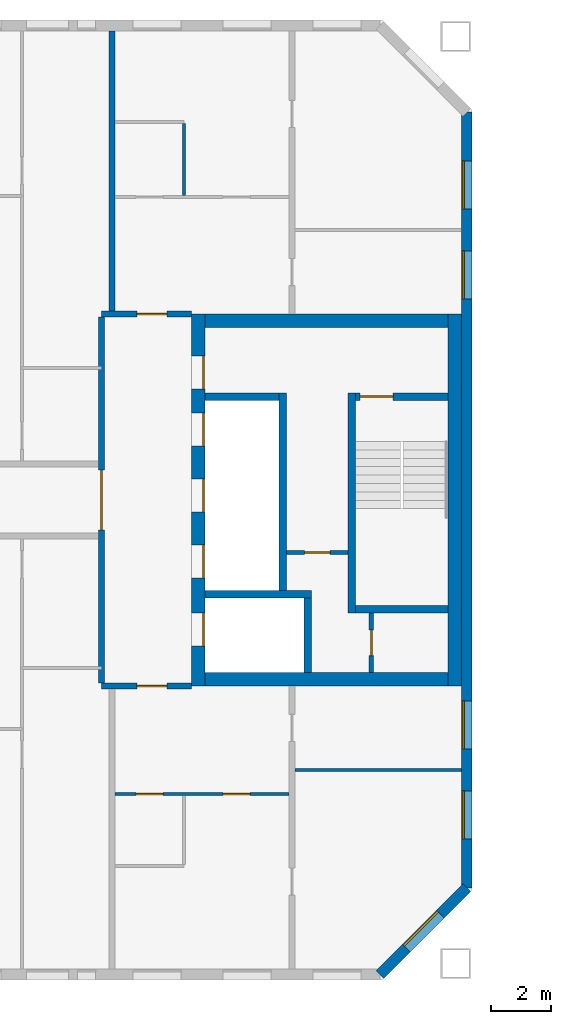
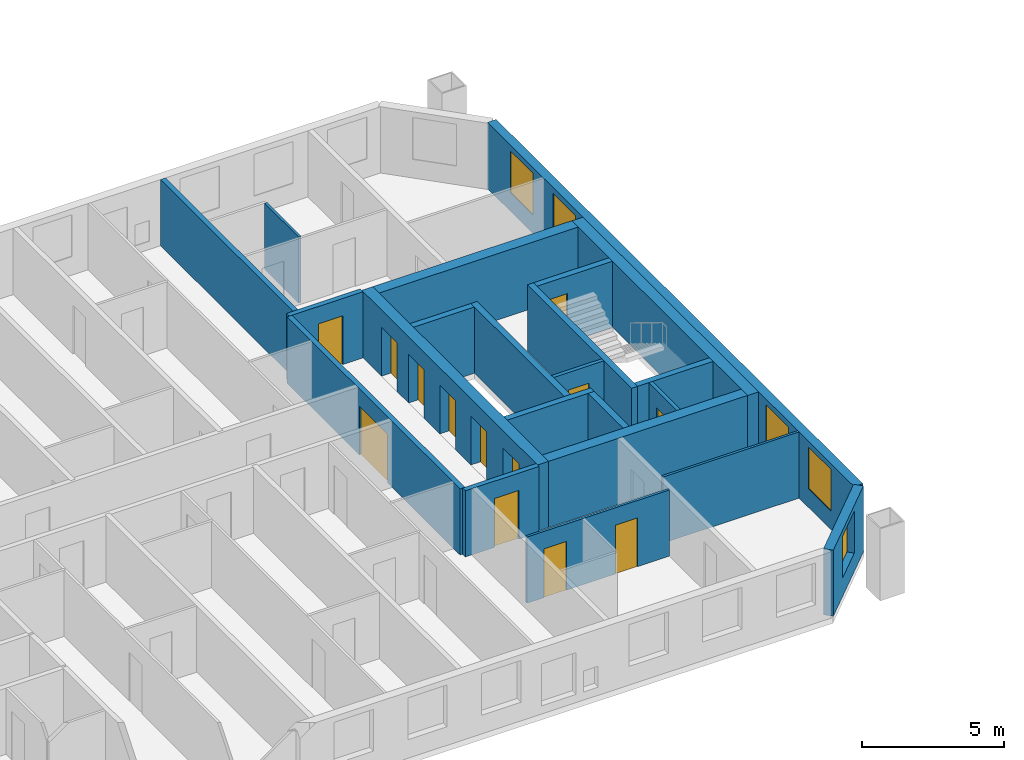
# One storey, part 7 of 16: 22 walls, 13 doors, 5 windows, 18 openings.
"""IFC4 building model written with IfcOpenShell, lengths in metres."""

from ifc_helpers import new_model, si_unit, direction, frame, frame_2d, origin, place, context, subcontext, project, spatial, rectangle, extrude, material, layer, layer_set, type_object, element, fill, save


model = new_model("IFC4")

# Units and contexts
model_context = context("Model", 3, precision=1e-05, world=origin(), true_north=direction((0.0, 1.0)))
body_context = subcontext(model_context, "Body", "Model", "MODEL_VIEW")
ifc_project = project(units=[si_unit("LENGTHUNIT", "METRE"), si_unit("AREAUNIT", "SQUARE_METRE"), si_unit("VOLUMEUNIT", "CUBIC_METRE"), si_unit("PLANEANGLEUNIT", "RADIAN"), si_unit("MASSUNIT", "GRAM", prefix="KILO")], contexts=[model_context])

# Site, building, storey
site_placement = place(None, origin())
site = spatial("IfcSite", under=ifc_project, at=site_placement, CompositionType="ELEMENT")
building_placement = place(site_placement, origin())
building = spatial("IfcBuilding", under=site, at=building_placement, Name="Tuart Gate Housing", CompositionType="ELEMENT")
storey_placement = place(building_placement, frame((0.0, 0.0, 182.0)))
storey = spatial("IfcBuildingStorey", under=building, at=storey_placement, Name="L51", CompositionType="ELEMENT", Elevation=182.0)

# Wall, opening, window
ifc_material_1 = material(Name="Brick", Category="masonry")
ifc_layer_1 = layer(ifc_material_1, 0.360107421875)
ifc_layer_set_1 = layer_set([ifc_layer_1], Name="Brick pier and spandrel wall 360")
wall_type_1 = type_object("IfcWallType", Name="Brick pier and spandrel wall 360", PredefinedType="STANDARD", material=ifc_layer_set_1)
wall_1_placement = place(storey_placement, frame((72.92529296875, 54.179931640625, 0.0), z_axis=(0.0, 0.0, 1.0), x_axis=(0.707106781187, 0.707106781187, 0.0)))
wall_1 = element("IfcWall", 1, at=wall_1_placement, inside=storey, type_object=wall_type_1, Name="External wall A-SE L51", PredefinedType="STANDARD", context=body_context, shape_type="SweptSolid", body=[
    extrude(rectangle(XDim=4.09375, YDim=0.360107421875, at=frame_2d((2.046875, 0.0))), origin(), (0.0, 0.0, 1.0), 2.85009765625),
])
opening_1_placement = place(wall_1_placement, frame((1.2470703125, 0.0, 0.800048828125)))
opening_1 = element("IfcOpeningElement", 2, at=opening_1_placement, cuts=wall_1, Name="Opening W1", PredefinedType="OPENING", context=body_context, shape_type="SweptSolid", body=[
    extrude(rectangle(XDim=1.60009765625, YDim=1.800048828125, at=frame_2d((0.800048828125, 0.89990234375))), frame((0.0, 0.18994140625, 0.0), z_axis=(0.0, -1.0, 0.0), x_axis=(1.0, 0.0, 0.0)), (0.0, 0.0, 1.0), 0.380126953125),
])
ifc_material_2 = material(Name="Aluminium frame with clear glass", Category="aluminium")
window_type = type_object("IfcWindowType", Name="Punched window 1600 x 1800", PartitioningType="SINGLE_PANEL", PredefinedType="WINDOW", material=ifc_material_2)
window_1_placement = place(opening_1_placement, origin())
window_1 = element("IfcWindow", 3, at=window_1_placement, inside=storey, type_object=window_type, Name="Window W1", OverallHeight=1.800048828125, OverallWidth=1.60009765625, PartitioningType="SINGLE_PANEL", PredefinedType="WINDOW", context=body_context, shape_type="SweptSolid", body=[
    extrude(rectangle(XDim=1.60009765625, YDim=1.800048828125, at=frame_2d((0.800048828125, 0.89990234375))), frame((0.0, 0.150146484375, 0.0), z_axis=(0.0, -1.0, 0.0), x_axis=(1.0, 0.0, 0.0)), (0.0, 0.0, 1.0), 0.06005859375),
])
fill(opening_1, window_1)

# Wall, openings, windows
wall_2_placement = place(storey_placement, frame((75.820068359375, 57.07470703125, 0.0), z_axis=(0.0, 0.0, 1.0), x_axis=(0.0, 1.0, 0.0)))
wall_2 = element("IfcWall", 4, at=wall_2_placement, inside=storey, type_object=wall_type_1, Name="External wall A-E L51", PredefinedType="STANDARD", context=body_context, shape_type="SweptSolid", body=[
    extrude(rectangle(XDim=25.850830078125, YDim=0.360107421875, at=frame_2d((12.92529296875, 0.0))), origin(), (0.0, 0.0, 1.0), 2.85009765625),
])
opening_2_placement = place(wall_2_placement, frame((1.62548828125, 0.0, 0.800048828125)))
opening_2 = element("IfcOpeningElement", 5, at=opening_2_placement, cuts=wall_2, Name="Opening W1", PredefinedType="OPENING", context=body_context, shape_type="SweptSolid", body=[
    extrude(rectangle(XDim=1.60009765625, YDim=1.800048828125, at=frame_2d((0.800048828125, 0.89990234375))), frame((0.0, 0.18994140625, 0.0), z_axis=(0.0, -1.0, 0.0), x_axis=(1.0, 0.0, 0.0)), (0.0, 0.0, 1.0), 0.380126953125),
])
opening_3_placement = place(wall_2_placement, frame((4.62548828125, 0.0, 0.800048828125)))
opening_3 = element("IfcOpeningElement", 6, at=opening_3_placement, cuts=wall_2, Name="Opening W1", PredefinedType="OPENING", context=body_context, shape_type="SweptSolid", body=[
    extrude(rectangle(XDim=1.60009765625, YDim=1.800048828125, at=frame_2d((0.800048828125, 0.89990234375))), frame((0.0, 0.18994140625, 0.0), z_axis=(0.0, -1.0, 0.0), x_axis=(1.0, 0.0, 0.0)), (0.0, 0.0, 1.0), 0.380126953125),
])
opening_4_placement = place(wall_2_placement, frame((19.62548828125, 0.0, 0.800048828125)))
opening_4 = element("IfcOpeningElement", 7, at=opening_4_placement, cuts=wall_2, Name="Opening W1", PredefinedType="OPENING", context=body_context, shape_type="SweptSolid", body=[
    extrude(rectangle(XDim=1.60009765625, YDim=1.800048828125, at=frame_2d((0.800048828125, 0.89990234375))), frame((0.0, 0.18994140625, 0.0), z_axis=(0.0, -1.0, 0.0), x_axis=(1.0, 0.0, 0.0)), (0.0, 0.0, 1.0), 0.380126953125),
])
opening_5_placement = place(wall_2_placement, frame((22.62548828125, 0.0, 0.800048828125)))
opening_5 = element("IfcOpeningElement", 8, at=opening_5_placement, cuts=wall_2, Name="Opening W1", PredefinedType="OPENING", context=body_context, shape_type="SweptSolid", body=[
    extrude(rectangle(XDim=1.60009765625, YDim=1.800048828125, at=frame_2d((0.800048828125, 0.89990234375))), frame((0.0, 0.18994140625, 0.0), z_axis=(0.0, -1.0, 0.0), x_axis=(1.0, 0.0, 0.0)), (0.0, 0.0, 1.0), 0.380126953125),
])
window_2_placement = place(opening_2_placement, origin())
window_2 = element("IfcWindow", 9, at=window_2_placement, inside=storey, type_object=window_type, Name="Window W1", OverallHeight=1.800048828125, OverallWidth=1.60009765625, PartitioningType="SINGLE_PANEL", PredefinedType="WINDOW", context=body_context, shape_type="SweptSolid", body=[
    extrude(rectangle(XDim=1.60009765625, YDim=1.800048828125, at=frame_2d((0.800048828125, 0.89990234375))), frame((0.0, 0.150146484375, 0.0), z_axis=(0.0, -1.0, 0.0), x_axis=(1.0, 0.0, 0.0)), (0.0, 0.0, 1.0), 0.06005859375),
])
fill(opening_2, window_2)
window_3_placement = place(opening_3_placement, origin())
window_3 = element("IfcWindow", 10, at=window_3_placement, inside=storey, type_object=window_type, Name="Window W1", OverallHeight=1.800048828125, OverallWidth=1.60009765625, PartitioningType="SINGLE_PANEL", PredefinedType="WINDOW", context=body_context, shape_type="SweptSolid", body=[
    extrude(rectangle(XDim=1.60009765625, YDim=1.800048828125, at=frame_2d((0.800048828125, 0.89990234375))), frame((0.0, 0.150146484375, 0.0), z_axis=(0.0, -1.0, 0.0), x_axis=(1.0, 0.0, 0.0)), (0.0, 0.0, 1.0), 0.06005859375),
])
fill(opening_3, window_3)
window_4_placement = place(opening_4_placement, origin())
window_4 = element("IfcWindow", 11, at=window_4_placement, inside=storey, type_object=window_type, Name="Window W1", OverallHeight=1.800048828125, OverallWidth=1.60009765625, PartitioningType="SINGLE_PANEL", PredefinedType="WINDOW", context=body_context, shape_type="SweptSolid", body=[
    extrude(rectangle(XDim=1.60009765625, YDim=1.800048828125, at=frame_2d((0.800048828125, 0.89990234375))), frame((0.0, 0.150146484375, 0.0), z_axis=(0.0, -1.0, 0.0), x_axis=(1.0, 0.0, 0.0)), (0.0, 0.0, 1.0), 0.06005859375),
])
fill(opening_4, window_4)
window_5_placement = place(opening_5_placement, origin())
window_5 = element("IfcWindow", 12, at=window_5_placement, inside=storey, type_object=window_type, Name="Window W1", OverallHeight=1.800048828125, OverallWidth=1.60009765625, PartitioningType="SINGLE_PANEL", PredefinedType="WINDOW", context=body_context, shape_type="SweptSolid", body=[
    extrude(rectangle(XDim=1.60009765625, YDim=1.800048828125, at=frame_2d((0.800048828125, 0.89990234375))), frame((0.0, 0.150146484375, 0.0), z_axis=(0.0, -1.0, 0.0), x_axis=(1.0, 0.0, 0.0)), (0.0, 0.0, 1.0), 0.06005859375),
])
fill(opening_5, window_5)

# Wall, opening, door
ifc_material_3 = material(Name="Plasterboard partition")
ifc_layer_2 = layer(ifc_material_3, 0.14990234375)
ifc_layer_set_2 = layer_set([ifc_layer_2], Name="Core partition 150")
wall_type_2 = type_object("IfcWallType", Name="Core partition 150", PredefinedType="PARTITIONING", material=ifc_layer_set_2)
wall_3_placement = place(storey_placement, frame((69.81494140625, 68.25, 0.0), z_axis=(0.0, 0.0, 1.0), x_axis=(1.0, 0.0, 0.0)))
wall_3 = element("IfcWall", 13, at=wall_3_placement, inside=storey, type_object=wall_type_2, Name="Core partition AG.3", PredefinedType="PARTITIONING", context=body_context, shape_type="SweptSolid", body=[
    extrude(rectangle(XDim=2.050048828125, YDim=0.14990234375, at=frame_2d((1.02490234375, 0.0))), origin(), (0.0, 0.0, 1.0), 2.85009765625),
])
opening_6_placement = place(wall_3_placement, frame((0.60009765625, 0.0, 0.0)))
opening_6 = element("IfcOpeningElement", 14, at=opening_6_placement, cuts=wall_3, Name="Opening D1768", PredefinedType="OPENING", context=body_context, shape_type="SweptSolid", body=[
    extrude(rectangle(XDim=0.85009765625, YDim=2.10009765625, at=frame_2d((0.425048828125, 1.050048828125))), frame((0.0, 0.0849609375, 0.0), z_axis=(0.0, -1.0, 0.0), x_axis=(1.0, 0.0, 0.0)), (0.0, 0.0, 1.0), 0.169921875),
])
ifc_material_4 = material(Name="Steel fire door", Category="steel")
door_type_1 = type_object("IfcDoorType", Name="Riser door 850 x 2100 RH", OperationType="SINGLE_SWING_RIGHT", PredefinedType="DOOR", material=ifc_material_4)
door_1_placement = place(opening_6_placement, frame((0.85009765625, 0.0, 0.0), z_axis=(0.0, 0.0, 1.0), x_axis=(-1.0, 0.0, 0.0)))
door_1 = element("IfcDoor", 15, at=door_1_placement, inside=storey, type_object=door_type_1, Name="Service room door AG.E1", OperationType="SINGLE_SWING_RIGHT", OverallHeight=2.10009765625, OverallWidth=0.85009765625, PredefinedType="DOOR", context=body_context, shape_type="SweptSolid", body=[
    extrude(rectangle(XDim=0.85009765625, YDim=2.10009765625, at=frame_2d((0.425048828125, 1.050048828125))), frame((0.0, 0.025146484375, 0.0), z_axis=(0.0, -1.0, 0.0), x_axis=(1.0, 0.0, 0.0)), (0.0, 0.0, 1.0), 0.050048828125),
])
fill(opening_6, door_1)

wall_4_placement = place(storey_placement, frame((72.639892578125, 64.25, 0.0), z_axis=(0.0, 0.0, 1.0), x_axis=(0.0, 1.0, 0.0)))
wall_4 = element("IfcWall", 16, at=wall_4_placement, inside=storey, type_object=wall_type_2, Name="Core partition AG.9", PredefinedType="PARTITIONING", context=body_context, shape_type="SweptSolid", body=[
    extrude(rectangle(XDim=1.97509765625, YDim=0.14990234375, at=frame_2d((0.987548828125, 0.0))), origin(), (0.0, 0.0, 1.0), 2.85009765625),
])
opening_7_placement = place(wall_4_placement, frame((0.5625, 0.0, 0.0)))
opening_7 = element("IfcOpeningElement", 17, at=opening_7_placement, cuts=wall_4, Name="Opening D1770", PredefinedType="OPENING", context=body_context, shape_type="SweptSolid", body=[
    extrude(rectangle(XDim=0.85009765625, YDim=2.10009765625, at=frame_2d((0.425048828125, 1.050048828125))), frame((0.0, 0.0849609375, 0.0), z_axis=(0.0, -1.0, 0.0), x_axis=(1.0, 0.0, 0.0)), (0.0, 0.0, 1.0), 0.169921875),
])
ifc_material_5 = material(Name="Steel fire door", Category="steel")
door_type_2 = type_object("IfcDoorType", Name="Service door 850 x 2100", OperationType="SINGLE_SWING_LEFT", PredefinedType="DOOR", material=ifc_material_5)
door_2_placement = place(opening_7_placement, origin())
door_2 = element("IfcDoor", 18, at=door_2_placement, inside=storey, type_object=door_type_2, Name="Service room door AG.E2", OperationType="SINGLE_SWING_LEFT", OverallHeight=2.10009765625, OverallWidth=0.85009765625, PredefinedType="DOOR", context=body_context, shape_type="SweptSolid", body=[
    extrude(rectangle(XDim=0.85009765625, YDim=2.10009765625, at=frame_2d((0.425048828125, 1.050048828125))), frame((0.0, 0.02490234375, 0.0), z_axis=(0.0, -1.0, 0.0), x_axis=(1.0, 0.0, 0.0)), (0.0, 0.0, 1.0), 0.050048828125),
])
fill(opening_7, door_2)

# Walls
ifc_material_6 = material(Name="Concrete C40", Category="concrete")
ifc_layer_3 = layer(ifc_material_6, 0.25)
ifc_layer_set_3 = layer_set([ifc_layer_3], Name="Core wall 250 C40")
wall_type_3 = type_object("IfcWallType", Name="Core wall 250 C40", PredefinedType="SHEAR", material=ifc_layer_set_3)
wall_5_placement = place(storey_placement, frame((72.114990234375, 66.35009765625, 0.0), z_axis=(0.0, 0.0, 1.0), x_axis=(1.0, 0.0, 0.0)))
element("IfcWall", 19, at=wall_5_placement, inside=storey, type_object=wall_type_3, Name="Core wall AG.1", PredefinedType="SHEAR", context=body_context, shape_type="SweptSolid", body=[
    extrude(rectangle(XDim=3.074951171875, YDim=0.25, at=frame_2d((1.53759765625, 0.0))), origin(), (0.0, 0.0, 1.0), 2.85009765625),
])
wall_6_placement = place(storey_placement, frame((67.090087890625, 66.85009765625, 0.0), z_axis=(0.0, 0.0, 1.0), x_axis=(1.0, 0.0, 0.0)))
element("IfcWall", 20, at=wall_6_placement, inside=storey, type_object=wall_type_3, Name="Core wall AG.2", PredefinedType="SHEAR", context=body_context, shape_type="SweptSolid", body=[
    extrude(rectangle(XDim=3.544921875, YDim=0.25, at=frame_2d((1.7724609375, 0.0))), origin(), (0.0, 0.0, 1.0), 2.85009765625),
])
wall_7_placement = place(storey_placement, frame((67.090087890625, 73.449951171875, 0.0), z_axis=(0.0, 0.0, 1.0), x_axis=(1.0, 0.0, 0.0)))
element("IfcWall", 21, at=wall_7_placement, inside=storey, type_object=wall_type_3, Name="Core wall AG.4", PredefinedType="SHEAR", context=body_context, shape_type="SweptSolid", body=[
    extrude(rectangle(XDim=2.474853515625, YDim=0.25, at=frame_2d((1.2373046875, 0.0))), origin(), (0.0, 0.0, 1.0), 2.85009765625),
])

# Wall, opening, door
wall_8_placement = place(storey_placement, frame((72.114990234375, 73.449951171875, 0.0), z_axis=(0.0, 0.0, 1.0), x_axis=(1.0, 0.0, 0.0)))
wall_8 = element("IfcWall", 22, at=wall_8_placement, inside=storey, type_object=wall_type_3, Name="Core wall AG.5", PredefinedType="SHEAR", context=body_context, shape_type="SweptSolid", body=[
    extrude(rectangle(XDim=3.074951171875, YDim=0.25, at=frame_2d((1.53759765625, 0.0))), origin(), (0.0, 0.0, 1.0), 2.85009765625),
])
opening_8_placement = place(wall_8_placement, frame((0.14990234375, 0.0, 0.0)))
opening_8 = element("IfcOpeningElement", 23, at=opening_8_placement, cuts=wall_8, Name="Opening D1754", PredefinedType="OPENING", context=body_context, shape_type="SweptSolid", body=[
    extrude(rectangle(XDim=1.10009765625, YDim=2.10009765625, at=frame_2d((0.550048828125, 1.050048828125))), frame((0.0, 0.135009765625, 0.0), z_axis=(0.0, -1.0, 0.0), x_axis=(1.0, 0.0, 0.0)), (0.0, 0.0, 1.0), 0.27001953125),
])
ifc_material_7 = material(Name="Steel fire door", Category="steel")
door_type_3 = type_object("IfcDoorType", Name="Stair door 1100 x 2100 RH", OperationType="SINGLE_SWING_RIGHT", PredefinedType="DOOR", material=ifc_material_7)
door_3_placement = place(opening_8_placement, frame((1.10009765625, 0.0, 0.0), z_axis=(0.0, 0.0, 1.0), x_axis=(-1.0, 0.0, 0.0)))
door_3 = element("IfcDoor", 24, at=door_3_placement, inside=storey, type_object=door_type_3, Name="Stair door AG.SD", OperationType="SINGLE_SWING_RIGHT", OverallHeight=2.10009765625, OverallWidth=1.10009765625, PredefinedType="DOOR", context=body_context, shape_type="SweptSolid", body=[
    extrude(rectangle(XDim=1.10009765625, YDim=2.10009765625, at=frame_2d((0.550048828125, 1.050048828125))), frame((0.0, 0.025146484375, 0.0), z_axis=(0.0, -1.0, 0.0), x_axis=(1.0, 0.0, 0.0)), (0.0, 0.0, 1.0), 0.050048828125),
])
fill(opening_8, door_3)

# Walls
wall_9_placement = place(storey_placement, frame((69.68994140625, 66.97509765625, 0.0), z_axis=(0.0, 0.0, 1.0), x_axis=(0.0, 1.0, 0.0)))
element("IfcWall", 25, at=wall_9_placement, inside=storey, type_object=wall_type_3, Name="Core wall AG.6", PredefinedType="SHEAR", context=body_context, shape_type="SweptSolid", body=[
    extrude(rectangle(XDim=6.599853515625, YDim=0.25, at=frame_2d((3.2998046875, 0.0))), origin(), (0.0, 0.0, 1.0), 2.85009765625),
])
wall_10_placement = place(storey_placement, frame((70.510009765625, 64.25, 0.0), z_axis=(0.0, 0.0, 1.0), x_axis=(0.0, 1.0, 0.0)))
element("IfcWall", 26, at=wall_10_placement, inside=storey, type_object=wall_type_3, Name="Core wall AG.7", PredefinedType="SHEAR", context=body_context, shape_type="SweptSolid", body=[
    extrude(rectangle(XDim=2.47509765625, YDim=0.25, at=frame_2d((1.237548828125, 0.0))), origin(), (0.0, 0.0, 1.0), 2.85009765625),
])
wall_11_placement = place(storey_placement, frame((71.989990234375, 66.22509765625, 0.0), z_axis=(0.0, 0.0, 1.0), x_axis=(0.0, 1.0, 0.0)))
element("IfcWall", 27, at=wall_11_placement, inside=storey, type_object=wall_type_3, Name="Core wall AG.8", PredefinedType="SHEAR", context=body_context, shape_type="SweptSolid", body=[
    extrude(rectangle(XDim=7.349853515625, YDim=0.25, at=frame_2d((3.6748046875, 0.0))), origin(), (0.0, 0.0, 1.0), 2.85009765625),
])

# Wall, openings, doors
ifc_material_8 = material(Name="Concrete C40", Category="concrete")
ifc_layer_4 = layer(ifc_material_8, 0.449951171875)
ifc_layer_set_4 = layer_set([ifc_layer_4], Name="Core wall 450 C40")
wall_type_4 = type_object("IfcWallType", Name="Core wall 450 C40", PredefinedType="SHEAR", material=ifc_layer_set_4)
wall_12_placement = place(storey_placement, frame((66.864990234375, 63.800048828125, 0.0), z_axis=(0.0, 0.0, 1.0), x_axis=(0.0, 1.0, 0.0)))
wall_12 = element("IfcWall", 28, at=wall_12_placement, inside=storey, type_object=wall_type_4, Name="Core wall AG front", PredefinedType="SHEAR", context=body_context, shape_type="SweptSolid", body=[
    extrude(rectangle(XDim=12.39990234375, YDim=0.449951171875, at=frame_2d((6.199951171875, 0.0))), origin(), (0.0, 0.0, 1.0), 2.85009765625),
])
opening_9_placement = place(wall_12_placement, frame((1.324951171875, 0.0, 0.0)))
opening_9 = element("IfcOpeningElement", 29, at=opening_9_placement, cuts=wall_12, Name="Opening LD-FA1", PredefinedType="OPENING", context=body_context, shape_type="SweptSolid", body=[
    extrude(rectangle(XDim=1.10009765625, YDim=2.10009765625, at=frame_2d((0.550048828125, 1.050048828125))), frame((0.0, 0.23486328125, 0.0), z_axis=(0.0, -1.0, 0.0), x_axis=(1.0, 0.0, 0.0)), (0.0, 0.0, 1.0), 0.469970703125),
])
opening_10_placement = place(wall_12_placement, frame((3.60009765625, 0.0, 0.0)))
opening_10 = element("IfcOpeningElement", 30, at=opening_10_placement, cuts=wall_12, Name="Opening LD-LA1", PredefinedType="OPENING", context=body_context, shape_type="SweptSolid", body=[
    extrude(rectangle(XDim=1.10009765625, YDim=2.10009765625, at=frame_2d((0.550048828125, 1.050048828125))), frame((0.0, 0.23486328125, 0.0), z_axis=(0.0, -1.0, 0.0), x_axis=(1.0, 0.0, 0.0)), (0.0, 0.0, 1.0), 0.469970703125),
])
opening_11_placement = place(wall_12_placement, frame((5.800048828125, 0.0, 0.0)))
opening_11 = element("IfcOpeningElement", 31, at=opening_11_placement, cuts=wall_12, Name="Opening LD-LA2", PredefinedType="OPENING", context=body_context, shape_type="SweptSolid", body=[
    extrude(rectangle(XDim=1.10009765625, YDim=2.10009765625, at=frame_2d((0.550048828125, 1.050048828125))), frame((0.0, 0.23486328125, 0.0), z_axis=(0.0, -1.0, 0.0), x_axis=(1.0, 0.0, 0.0)), (0.0, 0.0, 1.0), 0.469970703125),
])
opening_12_placement = place(wall_12_placement, frame((8.0, 0.0, 0.0)))
opening_12 = element("IfcOpeningElement", 32, at=opening_12_placement, cuts=wall_12, Name="Opening LD-LA3", PredefinedType="OPENING", context=body_context, shape_type="SweptSolid", body=[
    extrude(rectangle(XDim=1.10009765625, YDim=2.10009765625, at=frame_2d((0.550048828125, 1.050048828125))), frame((0.0, 0.23486328125, 0.0), z_axis=(0.0, -1.0, 0.0), x_axis=(1.0, 0.0, 0.0)), (0.0, 0.0, 1.0), 0.469970703125),
])
opening_13_placement = place(wall_12_placement, frame((9.89990234375, 0.0, 0.0)))
opening_13 = element("IfcOpeningElement", 33, at=opening_13_placement, cuts=wall_12, Name="Opening D1764", PredefinedType="OPENING", context=body_context, shape_type="SweptSolid", body=[
    extrude(rectangle(XDim=1.10009765625, YDim=2.10009765625, at=frame_2d((0.550048828125, 1.050048828125))), frame((0.0, 0.23486328125, 0.0), z_axis=(0.0, -1.0, 0.0), x_axis=(1.0, 0.0, 0.0)), (0.0, 0.0, 1.0), 0.469970703125),
])
ifc_material_9 = material(Name="Stainless steel", Category="steel")
door_type_4 = type_object("IfcDoorType", Name="Landing door 1100 x 2100", OperationType="DOUBLE_DOOR_SLIDING", PredefinedType="DOOR", material=ifc_material_9)
door_4_placement = place(opening_9_placement, origin())
door_4 = element("IfcDoor", 34, at=door_4_placement, inside=storey, type_object=door_type_4, Name="Lift landing door FA1", OperationType="DOUBLE_DOOR_SLIDING", OverallHeight=2.10009765625, OverallWidth=1.10009765625, PredefinedType="DOOR", context=body_context, shape_type="SweptSolid", body=[
    extrude(rectangle(XDim=1.10009765625, YDim=2.10009765625, at=frame_2d((0.550048828125, 1.050048828125))), frame((0.0, -0.16015625, 0.0), z_axis=(0.0, -1.0, 0.0), x_axis=(1.0, 0.0, 0.0)), (0.0, 0.0, 1.0), 0.050048828125),
])
fill(opening_9, door_4)
door_5_placement = place(opening_10_placement, origin())
door_5 = element("IfcDoor", 35, at=door_5_placement, inside=storey, type_object=door_type_4, Name="Lift landing door LA1", OperationType="DOUBLE_DOOR_SLIDING", OverallHeight=2.10009765625, OverallWidth=1.10009765625, PredefinedType="DOOR", context=body_context, shape_type="SweptSolid", body=[
    extrude(rectangle(XDim=1.10009765625, YDim=2.10009765625, at=frame_2d((0.550048828125, 1.050048828125))), frame((0.0, -0.16015625, 0.0), z_axis=(0.0, -1.0, 0.0), x_axis=(1.0, 0.0, 0.0)), (0.0, 0.0, 1.0), 0.050048828125),
])
fill(opening_10, door_5)
door_6_placement = place(opening_11_placement, origin())
door_6 = element("IfcDoor", 36, at=door_6_placement, inside=storey, type_object=door_type_4, Name="Lift landing door LA2", OperationType="DOUBLE_DOOR_SLIDING", OverallHeight=2.10009765625, OverallWidth=1.10009765625, PredefinedType="DOOR", context=body_context, shape_type="SweptSolid", body=[
    extrude(rectangle(XDim=1.10009765625, YDim=2.10009765625, at=frame_2d((0.550048828125, 1.050048828125))), frame((0.0, -0.16015625, 0.0), z_axis=(0.0, -1.0, 0.0), x_axis=(1.0, 0.0, 0.0)), (0.0, 0.0, 1.0), 0.050048828125),
])
fill(opening_11, door_6)
door_7_placement = place(opening_12_placement, origin())
door_7 = element("IfcDoor", 37, at=door_7_placement, inside=storey, type_object=door_type_4, Name="Lift landing door LA3", OperationType="DOUBLE_DOOR_SLIDING", OverallHeight=2.10009765625, OverallWidth=1.10009765625, PredefinedType="DOOR", context=body_context, shape_type="SweptSolid", body=[
    extrude(rectangle(XDim=1.10009765625, YDim=2.10009765625, at=frame_2d((0.550048828125, 1.050048828125))), frame((0.0, -0.16015625, 0.0), z_axis=(0.0, -1.0, 0.0), x_axis=(1.0, 0.0, 0.0)), (0.0, 0.0, 1.0), 0.050048828125),
])
fill(opening_12, door_7)
ifc_material_10 = material(Name="Steel fire door", Category="steel")
door_type_5 = type_object("IfcDoorType", Name="Lobby door 1100 x 2100 RH", OperationType="SINGLE_SWING_RIGHT", PredefinedType="DOOR", material=ifc_material_10)
door_8_placement = place(opening_13_placement, frame((1.10009765625, 0.0, 0.0), z_axis=(0.0, 0.0, 1.0), x_axis=(-1.0, 0.0, 0.0)))
door_8 = element("IfcDoor", 38, at=door_8_placement, inside=storey, type_object=door_type_5, Name="Lobby entry door AG.EN", OperationType="SINGLE_SWING_RIGHT", OverallHeight=2.10009765625, OverallWidth=1.10009765625, PredefinedType="DOOR", context=body_context, shape_type="SweptSolid", body=[
    extrude(rectangle(XDim=1.10009765625, YDim=2.10009765625, at=frame_2d((0.550048828125, 1.050048828125))), frame((0.0, 0.210205078125, 0.0), z_axis=(0.0, -1.0, 0.0), x_axis=(1.0, 0.0, 0.0)), (0.0, 0.0, 1.0), 0.050048828125),
])
fill(opening_13, door_8)

# Walls
wall_13_placement = place(storey_placement, frame((75.4150390625, 63.800048828125, 0.0), z_axis=(0.0, 0.0, 1.0), x_axis=(0.0, 1.0, 0.0)))
element("IfcWall", 39, at=wall_13_placement, inside=storey, type_object=wall_type_4, Name="Core wall AG back", PredefinedType="SHEAR", context=body_context, shape_type="SweptSolid", body=[
    extrude(rectangle(XDim=12.39990234375, YDim=0.449951171875, at=frame_2d((6.199951171875, 0.0))), origin(), (0.0, 0.0, 1.0), 2.85009765625),
])
for number, where, z_axis, x_axis, name in (
    (40, (67.090087890625, 64.02490234375, 0.0), (0.0, 0.0, 1.0), (1.0, 0.0, 0.0), "Core wall AG south"),
    (41, (67.090087890625, 75.97509765625, 0.0), (0.0, 0.0, 1.0), (1.0, 0.0, 0.0), "Core wall AG north"),
):
    element("IfcWall", number, at=place(storey_placement, frame(where, z_axis=z_axis, x_axis=x_axis)), inside=storey, type_object=wall_type_4, Name=name, PredefinedType="SHEAR", context=body_context, shape_type="SweptSolid", body=[
        extrude(rectangle(XDim=8.099853515625, YDim=0.449951171875, at=frame_2d((4.0498046875, 0.0))), origin(), (0.0, 0.0, 1.0), 2.85009765625),
    ])

# Wall, opening, door
ifc_material_11 = material(Name="Concrete masonry 15 MPa", Category="masonry")
ifc_layer_5 = layer(ifc_material_11, 0.199951171875)
ifc_layer_set_5 = layer_set([ifc_layer_5], Name="Enclosure wall masonry 200")
wall_type_5 = type_object("IfcWallType", Name="Enclosure wall masonry 200", PredefinedType="PARTITIONING", material=ifc_layer_set_5)
wall_14_placement = place(storey_placement, frame((63.639892578125, 63.800048828125, 0.0), z_axis=(0.0, 0.0, 1.0), x_axis=(1.0, 0.0, 0.0)))
wall_14 = element("IfcWall", 42, at=wall_14_placement, inside=storey, type_object=wall_type_5, Name="Enclosure wall masonry 200", PredefinedType="PARTITIONING", context=body_context, shape_type="SweptSolid", body=[
    extrude(rectangle(XDim=3.0, YDim=0.199951171875, at=frame_2d((1.5, 0.0))), origin(), (0.0, 0.0, 1.0), 2.85009765625),
])
opening_14_placement = place(wall_14_placement, frame((1.179931640625, 0.0, 0.0)))
opening_14 = element("IfcOpeningElement", 43, at=opening_14_placement, cuts=wall_14, Name="Opening D1772", PredefinedType="OPENING", context=body_context, shape_type="SweptSolid", body=[
    extrude(rectangle(XDim=1.0, YDim=2.10009765625, at=frame_2d((0.5, 1.050048828125))), frame((0.0, 0.10986328125, 0.0), z_axis=(0.0, -1.0, 0.0), x_axis=(1.0, 0.0, 0.0)), (0.0, 0.0, 1.0), 0.219970703125),
])
ifc_material_12 = material(Name="Timber door leaf in steel frame", Category="steel")
door_type_6 = type_object("IfcDoorType", Name="Flat entrance door 1000 RH", OperationType="SINGLE_SWING_RIGHT", PredefinedType="DOOR", material=ifc_material_12)
door_9_placement = place(opening_14_placement, frame((1.0, 0.0, 0.0), z_axis=(0.0, 0.0, 1.0), x_axis=(-1.0, 0.0, 0.0)))
door_9 = element("IfcDoor", 44, at=door_9_placement, inside=storey, type_object=door_type_6, Name="Flat entrance door", OperationType="SINGLE_SWING_RIGHT", OverallHeight=2.10009765625, OverallWidth=1.0, PredefinedType="DOOR", context=body_context, shape_type="SweptSolid", body=[
    extrude(rectangle(XDim=1.0, YDim=2.10009765625, at=frame_2d((0.5, 1.050048828125))), frame((0.0, 0.025146484375, 0.0), z_axis=(0.0, -1.0, 0.0), x_axis=(1.0, 0.0, 0.0)), (0.0, 0.0, 1.0), 0.050048828125),
])
fill(opening_14, door_9)

wall_15_placement = place(storey_placement, frame((63.639892578125, 76.199951171875, 0.0), z_axis=(0.0, 0.0, 1.0), x_axis=(1.0, 0.0, 0.0)))
wall_15 = element("IfcWall", 45, at=wall_15_placement, inside=storey, type_object=wall_type_5, Name="Enclosure wall masonry 200", PredefinedType="PARTITIONING", context=body_context, shape_type="SweptSolid", body=[
    extrude(rectangle(XDim=3.0, YDim=0.199951171875, at=frame_2d((1.5, 0.0))), origin(), (0.0, 0.0, 1.0), 2.85009765625),
])
opening_15_placement = place(wall_15_placement, frame((1.179931640625, 0.0, 0.0)))
opening_15 = element("IfcOpeningElement", 46, at=opening_15_placement, cuts=wall_15, Name="Opening D1753", PredefinedType="OPENING", context=body_context, shape_type="SweptSolid", body=[
    extrude(rectangle(XDim=1.0, YDim=2.10009765625, at=frame_2d((0.5, 1.050048828125))), frame((0.0, 0.10986328125, 0.0), z_axis=(0.0, -1.0, 0.0), x_axis=(1.0, 0.0, 0.0)), (0.0, 0.0, 1.0), 0.219970703125),
])
ifc_material_13 = material(Name="Timber door leaf in steel frame", Category="steel")
door_type_7 = type_object("IfcDoorType", Name="Flat entrance door 1000", OperationType="SINGLE_SWING_LEFT", PredefinedType="DOOR", material=ifc_material_13)
door_10_placement = place(opening_15_placement, origin())
door_10 = element("IfcDoor", 47, at=door_10_placement, inside=storey, type_object=door_type_7, Name="Flat entrance door", OperationType="SINGLE_SWING_LEFT", OverallHeight=2.10009765625, OverallWidth=1.0, PredefinedType="DOOR", context=body_context, shape_type="SweptSolid", body=[
    extrude(rectangle(XDim=1.0, YDim=2.10009765625, at=frame_2d((0.5, 1.050048828125))), frame((0.0, 0.02490234375, 0.0), z_axis=(0.0, -1.0, 0.0), x_axis=(1.0, 0.0, 0.0)), (0.0, 0.0, 1.0), 0.050048828125),
])
fill(opening_15, door_10)

ifc_material_14 = material(Name="Plasterboard partition")
ifc_layer_6 = layer(ifc_material_14, 0.199951171875)
ifc_layer_set_6 = layer_set([ifc_layer_6], Name="Lobby wall 200")
wall_type_6 = type_object("IfcWallType", Name="Lobby wall 200", PredefinedType="PARTITIONING", material=ifc_layer_set_6)
wall_16_placement = place(storey_placement, frame((63.639892578125, 63.89990234375, 0.0), z_axis=(0.0, 0.0, 1.0), x_axis=(0.0, 1.0, 0.0)))
wall_16 = element("IfcWall", 48, at=wall_16_placement, inside=storey, type_object=wall_type_6, Name="Lift lobby wall AG", PredefinedType="PARTITIONING", context=body_context, shape_type="SweptSolid", body=[
    extrude(rectangle(XDim=12.2001953125, YDim=0.199951171875, at=frame_2d((6.10009765625, 0.0))), origin(), (0.0, 0.0, 1.0), 2.85009765625),
])
opening_16_placement = place(wall_16_placement, frame((5.10009765625, 0.0, 0.0)))
opening_16 = element("IfcOpeningElement", 49, at=opening_16_placement, cuts=wall_16, Name="Opening D1763", PredefinedType="OPENING", context=body_context, shape_type="SweptSolid", body=[
    extrude(rectangle(XDim=2.0, YDim=2.10009765625, at=frame_2d((1.0, 1.050048828125))), frame((0.0, 0.10986328125, 0.0), z_axis=(0.0, -1.0, 0.0), x_axis=(1.0, 0.0, 0.0)), (0.0, 0.0, 1.0), 0.219970703125),
])
ifc_material_15 = material(Name="Steel fire door", Category="steel")
door_type_8 = type_object("IfcDoorType", Name="Smoke door 2000 x 2100", OperationType="DOUBLE_DOOR_SINGLE_SWING", PredefinedType="DOOR", material=ifc_material_15)
door_11_placement = place(opening_16_placement, frame((2.0, 0.0, 0.0), z_axis=(0.0, 0.0, 1.0), x_axis=(-1.0, 0.0, 0.0)))
door_11 = element("IfcDoor", 50, at=door_11_placement, inside=storey, type_object=door_type_8, Name="Lift lobby smoke door AG", OperationType="DOUBLE_DOOR_SINGLE_SWING", OverallHeight=2.10009765625, OverallWidth=2.0, PredefinedType="DOOR", context=body_context, shape_type="SweptSolid", body=[
    extrude(rectangle(XDim=2.0, YDim=2.10009765625, at=frame_2d((1.0, 1.050048828125))), frame((0.0, 0.025146484375, 0.0), z_axis=(0.0, -1.0, 0.0), x_axis=(1.0, 0.0, 0.0)), (0.0, 0.0, 1.0), 0.050048828125),
])
fill(opening_16, door_11)

# Wall, openings, doors
ifc_material_16 = material(Name="Gypsum board on steel studs", Category="steel")
ifc_layer_7 = layer(ifc_material_16, 0.10009765625)
ifc_layer_set_7 = layer_set([ifc_layer_7], Name="Partition 100")
wall_type_7 = type_object("IfcWallType", Name="Partition 100", PredefinedType="PARTITIONING", material=ifc_layer_set_7)
wall_17_placement = place(storey_placement, frame((64.10009765625, 60.199951171875, 0.0), z_axis=(0.0, 0.0, 1.0), x_axis=(1.0, 0.0, 0.0)))
wall_17 = element("IfcWall", 51, at=wall_17_placement, inside=storey, type_object=wall_type_7, Name="Partition 100", PredefinedType="PARTITIONING", context=body_context, shape_type="SweptSolid", body=[
    extrude(rectangle(XDim=5.7998046875, YDim=0.10009765625, at=frame_2d((2.89990234375, 0.0))), origin(), (0.0, 0.0, 1.0), 2.85009765625),
])
opening_17_placement = place(wall_17_placement, frame((3.60009765625, 0.0, 0.0)))
opening_17 = element("IfcOpeningElement", 52, at=opening_17_placement, cuts=wall_17, Name="Opening D1784", PredefinedType="OPENING", context=body_context, shape_type="SweptSolid", body=[
    extrude(rectangle(XDim=0.89990234375, YDim=2.10009765625, at=frame_2d((0.449951171875, 1.050048828125))), frame((0.0, 0.06005859375, 0.0), z_axis=(0.0, -1.0, 0.0), x_axis=(1.0, 0.0, 0.0)), (0.0, 0.0, 1.0), 0.1201171875),
])
opening_18_placement = place(wall_17_placement, frame((0.699951171875, 0.0, 0.0)))
opening_18 = element("IfcOpeningElement", 53, at=opening_18_placement, cuts=wall_17, Name="Opening D1783", PredefinedType="OPENING", context=body_context, shape_type="SweptSolid", body=[
    extrude(rectangle(XDim=0.89990234375, YDim=2.10009765625, at=frame_2d((0.449951171875, 1.050048828125))), frame((0.0, 0.06005859375, 0.0), z_axis=(0.0, -1.0, 0.0), x_axis=(1.0, 0.0, 0.0)), (0.0, 0.0, 1.0), 0.1201171875),
])
ifc_material_17 = material(Name="Timber door leaf in steel frame", Category="steel")
door_type_9 = type_object("IfcDoorType", Name="Bathroom door 900", OperationType="SINGLE_SWING_LEFT", PredefinedType="DOOR", material=ifc_material_17)
door_12_placement = place(opening_18_placement, frame((0.89990234375, 0.0, 0.0), z_axis=(0.0, 0.0, 1.0), x_axis=(-1.0, 0.0, 0.0)))
door_12 = element("IfcDoor", 54, at=door_12_placement, inside=storey, type_object=door_type_9, Name="Bathroom door", OperationType="SINGLE_SWING_LEFT", OverallHeight=2.10009765625, OverallWidth=0.89990234375, PredefinedType="DOOR", context=body_context, shape_type="SweptSolid", body=[
    extrude(rectangle(XDim=0.89990234375, YDim=2.10009765625, at=frame_2d((0.449951171875, 1.050048828125))), frame((0.0, 0.025146484375, 0.0), z_axis=(0.0, -1.0, 0.0), x_axis=(1.0, 0.0, 0.0)), (0.0, 0.0, 1.0), 0.050048828125),
])
fill(opening_18, door_12)
ifc_material_18 = material(Name="Timber door leaf in steel frame", Category="steel")
door_type_10 = type_object("IfcDoorType", Name="Internal door 900 RH", OperationType="SINGLE_SWING_RIGHT", PredefinedType="DOOR", material=ifc_material_18)
door_13_placement = place(opening_17_placement, origin())
door_13 = element("IfcDoor", 55, at=door_13_placement, inside=storey, type_object=door_type_10, Name="Internal door", OperationType="SINGLE_SWING_RIGHT", OverallHeight=2.10009765625, OverallWidth=0.89990234375, PredefinedType="DOOR", context=body_context, shape_type="SweptSolid", body=[
    extrude(rectangle(XDim=0.89990234375, YDim=2.10009765625, at=frame_2d((0.449951171875, 1.050048828125))), frame((0.0, 0.02490234375, 0.0), z_axis=(0.0, -1.0, 0.0), x_axis=(1.0, 0.0, 0.0)), (0.0, 0.0, 1.0), 0.050048828125),
])
fill(opening_17, door_13)

# Walls
wall_18_placement = place(storey_placement, frame((70.10009765625, 61.0, 0.0), z_axis=(0.0, 0.0, 1.0), x_axis=(1.0, 0.0, 0.0)))
element("IfcWall", 56, at=wall_18_placement, inside=storey, type_object=wall_type_7, Name="Partition 100", PredefinedType="PARTITIONING", context=body_context, shape_type="SweptSolid", body=[
    extrude(rectangle(XDim=5.539794921875, YDim=0.10009765625, at=frame_2d((2.77001953125, 0.0))), origin(), (0.0, 0.0, 1.0), 2.85009765625),
])
wall_19_placement = place(storey_placement, frame((66.39990234375, 80.14990234375, 0.0), z_axis=(0.0, 0.0, 1.0), x_axis=(0.0, 1.0, 0.0)))
element("IfcWall", 57, at=wall_19_placement, inside=storey, type_object=wall_type_7, Name="Partition 100", PredefinedType="PARTITIONING", context=body_context, shape_type="SweptSolid", body=[
    extrude(rectangle(XDim=2.400146484375, YDim=0.10009765625, at=frame_2d((1.2001953125, 0.0))), origin(), (0.0, 0.0, 1.0), 2.85009765625),
])
ifc_material_19 = material(Name="Concrete C40", Category="concrete")
ifc_layer_8 = layer(ifc_material_19, 0.199951171875)
ifc_layer_set_8 = layer_set([ifc_layer_8], Name="Party wall concrete C40 200")
wall_type_8 = type_object("IfcWallType", Name="Party wall concrete C40 200", PredefinedType="SOLIDWALL", material=ifc_layer_set_8)
wall_20_placement = place(storey_placement, frame((64.0, 76.199951171875, 0.0), z_axis=(0.0, 0.0, 1.0), x_axis=(0.0, 1.0, 0.0)))
element("IfcWall", 58, at=wall_20_placement, inside=storey, type_object=wall_type_8, Name="Party wall concrete C40 200", PredefinedType="SOLIDWALL", context=body_context, shape_type="SweptSolid", body=[
    extrude(rectangle(XDim=9.43994140625, YDim=0.199951171875, at=frame_2d((4.719970703125, 0.0))), origin(), (0.0, 0.0, 1.0), 2.85009765625),
])

save(model, "model.ifc")
